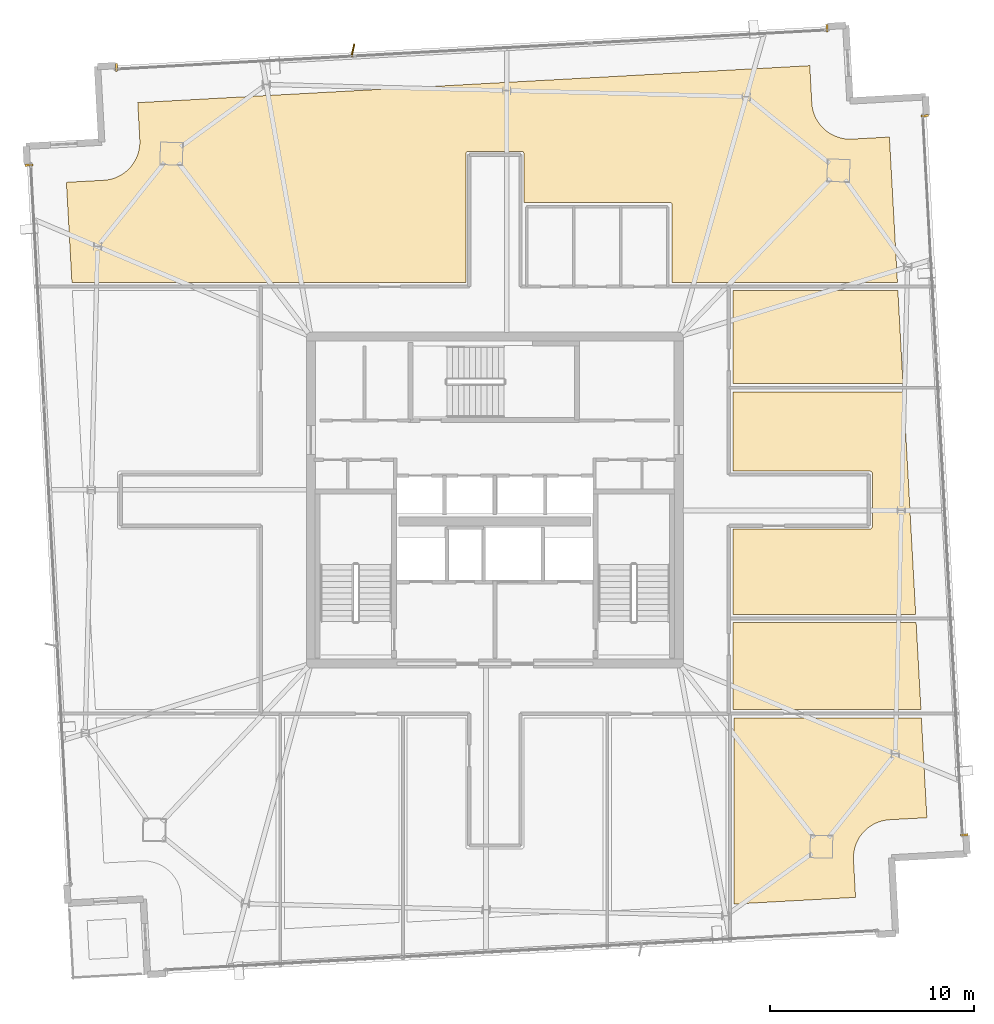
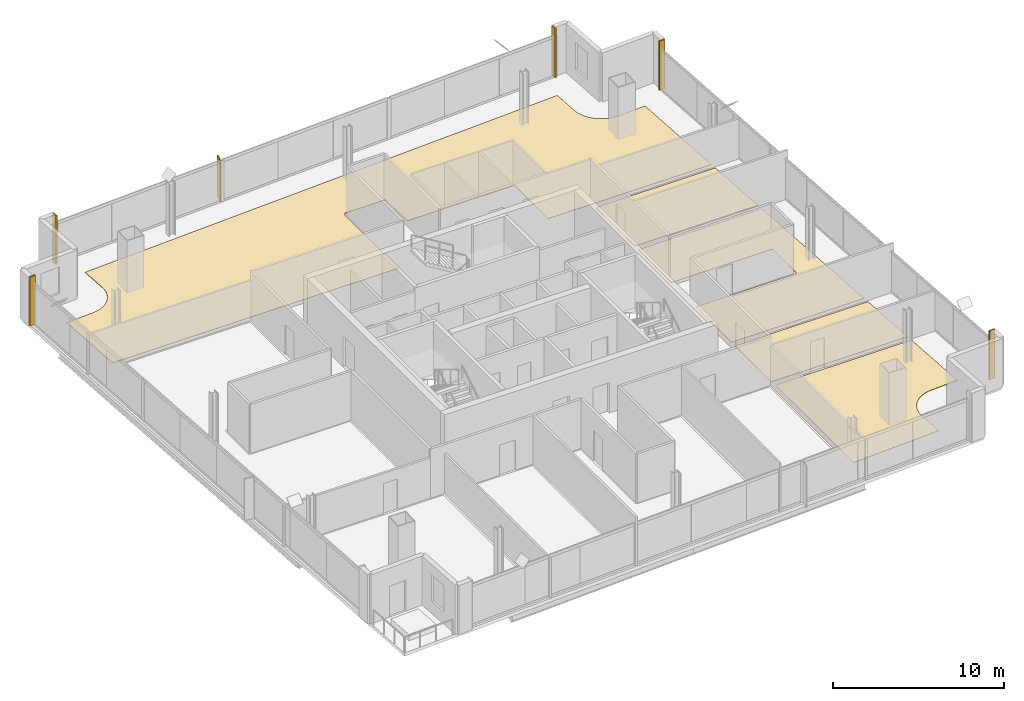
# One storey, part 23 of 23: 10 coverings, 1 shading device.
"""IFC4 building model written with IfcOpenShell, lengths in metres."""

import ifcopenshell
import ifcopenshell.guid

model = None  # the IFC model being written
_history = None  # IfcOwnerHistory: only IFC2X3 demands one
_inside = {}  # id of a spatial element -> (the spatial element, [elements in it])
_under = {}  # id of a project, library or spatial element -> (it, [spatial elements below it])
_declared = {}  # id of a project -> (the project, [libraries it declares])
_typed = {}  # id of a type object -> (the type object, [elements of that type])
_made_of = {}  # id of a material, layer set ... -> (it, [elements and type objects made of it])


def new_model(schema):
    """Start an empty IFC model of exactly this schema.

    Asked for "IFC4X3", IfcOpenShell would pick the latest addendum, in which some entities
    have other attributes; the version numbers below select the first issue.
    IFC2X3 requires an IfcOwnerHistory on every rooted entity: one is made here for all.
    """
    global model, _history
    if schema == "IFC4X3":
        model = ifcopenshell.file(schema_version=(4, 3, 0, 0))
    else:
        model = ifcopenshell.file(schema=schema)
    _inside.clear()
    _under.clear()
    _declared.clear()
    _typed.clear()
    _made_of.clear()
    _history = None
    if model.schema == "IFC2X3":
        org = make("IfcOrganization", Name="unknown")
        user = make(
            "IfcPersonAndOrganization",
            ThePerson=make("IfcPerson", FamilyName="unknown"),
            TheOrganization=org,
        )
        app = make(
            "IfcApplication",
            ApplicationDeveloper=org,
            Version="unknown",
            ApplicationFullName="unknown",
            ApplicationIdentifier="unknown",
        )
        _history = make(
            "IfcOwnerHistory",
            OwningUser=user,
            OwningApplication=app,
            ChangeAction="ADDED",
            CreationDate=0,
        )
    return model


def make(cls, **values):
    """One entity of the class cls with the attributes given. An attribute that is None is left unset."""
    return model.create_entity(
        cls, **{name: value for name, value in values.items() if value is not None}
    )


def rooted(cls, **values):
    """An entity with a GlobalId (a new one), such as an element, a storey or a relation."""
    return make(cls, GlobalId=ifcopenshell.guid.new(), OwnerHistory=_history, **values)


def si_unit(unit_type, name, prefix=None):
    """IfcSIUnit, for example si_unit("LENGTHUNIT", "METRE", prefix="MILLI")."""
    return make("IfcSIUnit", UnitType=unit_type, Prefix=prefix, Name=name)


def assignment(units):
    """IfcUnitAssignment: the units of a project."""
    return None if units is None else make("IfcUnitAssignment", Units=units)


def point(xyz):
    """IfcCartesianPoint."""
    return None if xyz is None else make("IfcCartesianPoint", Coordinates=xyz)


def direction(xyz):
    """IfcDirection."""
    return None if xyz is None else make("IfcDirection", DirectionRatios=xyz)


def frame(location, z_axis=None, x_axis=None):
    """IfcAxis2Placement3D, a coordinate frame: its origin and axes. An axis left out is left unset."""
    return make(
        "IfcAxis2Placement3D",
        Location=point(location),
        Axis=direction(z_axis),
        RefDirection=direction(x_axis),
    )


def frame_2d(location, x_axis=None):
    """IfcAxis2Placement2D, a coordinate frame in the plane: its origin and x axis."""
    return make(
        "IfcAxis2Placement2D", Location=point(location), RefDirection=direction(x_axis)
    )


def origin():
    """The frame at (0, 0, 0) with its axes left unset."""
    return frame((0.0, 0.0, 0.0))


def origin_2d():
    """The frame at (0, 0) in the plane with its x axis left unset."""
    return frame_2d((0.0, 0.0))


def place(relative_to, where):
    """IfcLocalPlacement: puts the frame where relative to a parent placement (None: the world)."""
    return make(
        "IfcLocalPlacement", PlacementRelTo=relative_to, RelativePlacement=where
    )


def context(
    kind, dimensions, precision=None, world=None, true_north=None, identifier=None
):
    """IfcGeometricRepresentationContext, for example the 3D "Model" context."""
    return make(
        "IfcGeometricRepresentationContext",
        ContextIdentifier=identifier,
        ContextType=kind,
        CoordinateSpaceDimension=dimensions,
        Precision=precision,
        WorldCoordinateSystem=world,
        TrueNorth=true_north,
    )


def subcontext(parent, identifier, kind, view, scale=None):
    """IfcGeometricRepresentationSubContext, for example "Body" below "Model"."""
    return make(
        "IfcGeometricRepresentationSubContext",
        ContextIdentifier=identifier,
        ContextType=kind,
        ParentContext=parent,
        TargetScale=scale,
        TargetView=view,
    )


def project(units=None, contexts=None):
    """IfcProject with its units and contexts."""
    return rooted(
        "IfcProject",
        Name="project",
        RepresentationContexts=contexts,
        UnitsInContext=assignment(units),
    )


def spatial(cls, under=None, at=None, **own):
    """A site, building, storey or space (cls), placed at a placement, below another one or the project."""
    s = rooted(cls, ObjectPlacement=at, **own)
    if under is not None:
        _under.setdefault(under.id(), (under, []))[1].append(s)
    return s


def polyline(points):
    """IfcPolyline through the points."""
    return make("IfcPolyline", Points=[point(p) for p in points])


def profile(cls, at=None, kind="AREA", **sizes):
    """A parametric profile (cls). Its sizes go by their IFC names, for example OverallWidth=200.0."""
    return make(cls, ProfileType=kind, Position=at, **sizes)


def rectangle(**sizes):
    """IfcRectangleProfileDef."""
    return profile("IfcRectangleProfileDef", **sizes)


def outline(outer, holes=None, kind="AREA"):
    """IfcArbitraryClosedProfileDef: a profile drawn as a closed curve; with holes, ...WithVoids."""
    if holes is None:
        return make("IfcArbitraryClosedProfileDef", ProfileType=kind, OuterCurve=outer)
    return make(
        "IfcArbitraryProfileDefWithVoids",
        ProfileType=kind,
        OuterCurve=outer,
        InnerCurves=holes,
    )


def extrude(swept, where, along, depth):
    """IfcExtrudedAreaSolid: the profile swept, set in the frame where, extruded along a direction by depth."""
    return make(
        "IfcExtrudedAreaSolid",
        SweptArea=swept,
        Position=where,
        ExtrudedDirection=direction(along),
        Depth=depth,
    )


def shape(context_of_items, identifier, shape_type, items):
    """IfcShapeRepresentation: the items that make up one representation, for example the "Body"."""
    return make(
        "IfcShapeRepresentation",
        ContextOfItems=context_of_items,
        RepresentationIdentifier=identifier,
        RepresentationType=shape_type,
        Items=items,
    )


def source(mapping_origin, context_of_items, identifier, shape_type, items):
    """IfcRepresentationMap: a shape defined once, which mapped items show again and again."""
    return make(
        "IfcRepresentationMap",
        MappingOrigin=mapping_origin,
        MappedRepresentation=shape(context_of_items, identifier, shape_type, items),
    )


def transform(
    local_origin,
    x_axis=None,
    y_axis=None,
    z_axis=None,
    scale=None,
    scale2=None,
    scale3=None,
    uniform=True,
):
    """IfcCartesianTransformationOperator3D, or its non-uniform kind. x_axis, y_axis, z_axis: its Axis1, 2, 3."""
    if uniform:
        return make(
            "IfcCartesianTransformationOperator3D",
            Axis1=direction(x_axis),
            Axis2=direction(y_axis),
            LocalOrigin=point(local_origin),
            Scale=scale,
            Axis3=direction(z_axis),
        )
    return make(
        "IfcCartesianTransformationOperator3DnonUniform",
        Axis1=direction(x_axis),
        Axis2=direction(y_axis),
        LocalOrigin=point(local_origin),
        Scale=scale,
        Axis3=direction(z_axis),
        Scale2=scale2,
        Scale3=scale3,
    )


def mapped(mapping_source, mapping_target):
    """IfcMappedItem: shows the shape of a source again, moved by a transform."""
    return make(
        "IfcMappedItem", MappingSource=mapping_source, MappingTarget=mapping_target
    )


def material(Name=None, Category=None):
    """IfcMaterial."""
    return make("IfcMaterial", Name=Name, Category=Category)


def layer(
    of_material, thickness, ventilated=None, Name=None, Category=None, Priority=None
):
    """IfcMaterialLayer: one layer of a wall or slab, of a material (None: an air gap)."""
    return make(
        "IfcMaterialLayer",
        Material=of_material,
        LayerThickness=thickness,
        IsVentilated=ventilated,
        Name=Name,
        Category=Category,
        Priority=Priority,
    )


def layer_set(layers, Name=None):
    """IfcMaterialLayerSet."""
    return make("IfcMaterialLayerSet", MaterialLayers=layers, LayerSetName=Name)


def made_of(thing, what):
    """Note that an element or type object is made of a material, layer set ...; save() writes the relation."""
    if what is not None:
        _made_of.setdefault(what.id(), (what, []))[1].append(thing)
    return thing


def type_object(cls, material=None, **own):
    """A type object (cls), such as IfcWallType, which elements share."""
    return made_of(rooted(cls, **own), material)


def element(
    cls,
    number,
    at=None,
    inside=None,
    cuts=None,
    type_object=None,
    material=None,
    context=None,
    identifier="Body",
    shape_type=None,
    held_by="IfcProductDefinitionShape",
    body=None,
    shapes=None,
    **own,
):
    """One element of the class cls, such as IfcWall. Its Tag is "e" and its number.

    at: its placement. inside: the storey or other place that contains it. cuts: it is an
    opening in that element (IfcRelVoidsElement). A single representation is given by context,
    identifier, shape_type and body (its items); several are given by shapes. held_by: the class
    of the entity that holds the representations. save() writes the other relations.
    """
    e = rooted(cls, Tag="e%d" % number, ObjectPlacement=at, **own)
    if body is not None:
        shapes = [shape(context, identifier, shape_type, body)]
    if shapes is not None:
        e.Representation = make(held_by, Representations=shapes)
    if inside is not None:
        _inside.setdefault(inside.id(), (inside, []))[1].append(e)
    if cuts is not None:
        rooted(
            "IfcRelVoidsElement", RelatingBuildingElement=cuts, RelatedOpeningElement=e
        )
    if type_object is not None:
        _typed.setdefault(type_object.id(), (type_object, []))[1].append(e)
    return made_of(e, material)


def aggregate(whole, parts):
    """IfcRelAggregates: a whole, such as a stair, and the parts it consists of."""
    return rooted("IfcRelAggregates", RelatingObject=whole, RelatedObjects=parts)


def save(model, path):
    """Write the relations noted so far, then the file.

    IfcRelAggregates (storeys below a building ...), IfcRelContainedInSpatialStructure (elements
    in a storey), IfcRelDefinesByType, IfcRelAssociatesMaterial and IfcRelDeclares: one each for
    every whole, place, type object, material and project.
    """
    for whole, parts in _under.values():
        aggregate(whole, parts)
    for where, things in _inside.values():
        rooted(
            "IfcRelContainedInSpatialStructure",
            RelatedElements=things,
            RelatingStructure=where,
        )
    for kind, things in _typed.values():
        rooted("IfcRelDefinesByType", RelatedObjects=things, RelatingType=kind)
    for what, things in _made_of.values():
        rooted("IfcRelAssociatesMaterial", RelatedObjects=things, RelatingMaterial=what)
    for by, libraries in _declared.values():
        rooted("IfcRelDeclares", RelatingContext=by, RelatedDefinitions=libraries)
    model.write(path)


model = new_model("IFC4")

# Units and contexts
model_context = context("Model", 3, precision=1e-05, world=origin(), true_north=direction((0.0, 1.0)))
body_context = subcontext(model_context, "Body", "Model", "MODEL_VIEW")
ifc_project = project(units=[si_unit("LENGTHUNIT", "METRE"), si_unit("AREAUNIT", "SQUARE_METRE"), si_unit("VOLUMEUNIT", "CUBIC_METRE"), si_unit("PLANEANGLEUNIT", "RADIAN"), si_unit("MASSUNIT", "GRAM", prefix="KILO")], contexts=[model_context])

# Site, building, storey
site_placement = place(None, origin())
site = spatial("IfcSite", under=ifc_project, at=site_placement, CompositionType="ELEMENT")
building_placement = place(site_placement, origin())
building = spatial("IfcBuilding", under=site, at=building_placement, Name="Haldenkirk Collegiate Tower", CompositionType="ELEMENT")
storey_placement = place(building_placement, frame((0.0, 0.0, 340.199951171875)))
storey = spatial("IfcBuildingStorey", under=building, at=storey_placement, Name="L86", CompositionType="ELEMENT", Elevation=340.199951171875)

# Coverings
ifc_material_1 = material(Name="Polished collegiate terrazzo", Category="concrete")
ifc_layer_1 = layer(ifc_material_1, 0.02490234375)
ifc_layer_set_1 = layer_set([ifc_layer_1], Name="Polished collegiate terrazzo")
covering_type_1 = type_object("IfcCoveringType", Name="COV-FLOOR-TERRAZZO", PredefinedType="FLOORING", material=ifc_layer_set_1)
covering_1_placement = place(storey_placement, origin())
element("IfcCovering", 1, at=covering_1_placement, inside=storey, type_object=covering_type_1, Name="L86 academic room finish 06", PredefinedType="FLOORING", context=body_context, shape_type="SweptSolid", body=[
    extrude(outline(polyline([(16.861083984375, 41.65185546875), (16.866943359375, 41.65234375), (17.03759765625, 41.67041015625), (17.04931640625, 41.672119140625), (17.217529296875, 41.70654296875), (17.22900390625, 41.70947265625), (17.392822265625, 41.76025390625), (17.404052734375, 41.764404296875), (17.562255859375, 41.8310546875), (17.572998046875, 41.836181640625), (17.723876953125, 41.91796875), (17.73388671875, 41.924072265625), (17.876220703125, 42.020263671875), (17.885498046875, 42.02734375), (18.017578125, 42.13720703125), (18.0263671875, 42.14501953125), (18.147216796875, 42.26708984375), (18.155029296875, 42.27587890625), (18.26318359375, 42.4091796875), (18.27001953125, 42.418701171875), (18.36474609375, 42.562255859375), (18.37060546875, 42.572265625), (18.45068359375, 42.72412109375), (18.455810546875, 42.735107421875), (18.5205078125, 42.89404296875), (18.5244140625, 42.905029296875), (18.5732421875, 43.069580078125), (18.575927734375, 43.081298828125), (18.6083984375, 43.249755859375), (18.610107421875, 43.261474609375), (18.626220703125, 43.432373046875), (18.626708984375, 43.444091796875), (18.62548828125, 43.615966796875), (18.62548828125, 43.621826171875), (18.52490234375, 45.44921875), (51.41015625, 47.2587890625), (51.510498046875, 45.431640625), (51.510986328125, 45.42578125), (51.529052734375, 45.2548828125), (51.53076171875, 45.243408203125), (51.565185546875, 45.0751953125), (51.568115234375, 45.063720703125), (51.618896484375, 44.899658203125), (51.623046875, 44.888671875), (51.689697265625, 44.730224609375), (51.69482421875, 44.7197265625), (51.776611328125, 44.568603515625), (51.78271484375, 44.55859375), (51.87890625, 44.41650390625), (51.885986328125, 44.406982421875), (51.995849609375, 44.27490234375), (52.003662109375, 44.266357421875), (52.125732421875, 44.1455078125), (52.134521484375, 44.1376953125), (52.26806640625, 44.029541015625), (52.277587890625, 44.0224609375), (52.4208984375, 43.927978515625), (52.430908203125, 43.922119140625), (52.5830078125, 43.841796875), (52.59375, 43.8369140625), (52.752685546875, 43.772216796875), (52.763916015625, 43.768310546875), (52.928466796875, 43.719482421875), (52.93994140625, 43.716552734375), (53.1083984375, 43.68408203125), (53.1201171875, 43.682373046875), (53.291015625, 43.66650390625), (53.302978515625, 43.666015625), (53.474609375, 43.6669921875), (53.480712890625, 43.667236328125), (55.307861328125, 43.767822265625), (55.699462890625, 36.64990234375), (44.669921875, 36.64990234375), (44.669921875, 40.449951171875), (44.66943359375, 40.4619140625), (44.667724609375, 40.473388671875), (44.664794921875, 40.48486328125), (44.660888671875, 40.495849609375), (44.65576171875, 40.506591796875), (44.64990234375, 40.5166015625), (44.642822265625, 40.526123046875), (44.635009765625, 40.534912109375), (44.626220703125, 40.542724609375), (44.61669921875, 40.5498046875), (44.606689453125, 40.555908203125), (44.595947265625, 40.560791015625), (44.584716796875, 40.564697265625), (44.573486328125, 40.567626953125), (44.561767578125, 40.5693359375), (44.550048828125, 40.570068359375), (37.449951171875, 40.570068359375), (37.438232421875, 40.5693359375), (37.426513671875, 40.567626953125), (37.419921875, 40.56591796875), (37.419921875, 42.949951171875), (37.41943359375, 42.9619140625), (37.417724609375, 42.973388671875), (37.414794921875, 42.98486328125), (37.410888671875, 42.995849609375), (37.40576171875, 43.006591796875), (37.39990234375, 43.0166015625), (37.392822265625, 43.026123046875), (37.385009765625, 43.034912109375), (37.376220703125, 43.042724609375), (37.36669921875, 43.0498046875), (37.356689453125, 43.055908203125), (37.345947265625, 43.060791015625), (37.334716796875, 43.064697265625), (37.323486328125, 43.067626953125), (37.311767578125, 43.0693359375), (37.300048828125, 43.070068359375), (34.699951171875, 43.070068359375), (34.688232421875, 43.0693359375), (34.676513671875, 43.067626953125), (34.665283203125, 43.064697265625), (34.654052734375, 43.060791015625), (34.643310546875, 43.055908203125), (34.63330078125, 43.0498046875), (34.623779296875, 43.042724609375), (34.614990234375, 43.034912109375), (34.607177734375, 43.026123046875), (34.60009765625, 43.0166015625), (34.59423828125, 43.006591796875), (34.589111328125, 42.995849609375), (34.585205078125, 42.98486328125), (34.582275390625, 42.973388671875), (34.58056640625, 42.9619140625), (34.580078125, 42.949951171875), (34.580078125, 36.64990234375), (15.303466796875, 36.64990234375), (15.03369140625, 41.551513671875), (16.861083984375, 41.65185546875)])), origin(), (0.0, 0.0, 1.0), 0.025146484375),
])
covering_2_placement = place(storey_placement, origin())
element("IfcCovering", 2, at=covering_2_placement, inside=storey, type_object=covering_type_1, Name="L86 academic room finish 08", PredefinedType="FLOORING", context=body_context, shape_type="SweptSolid", body=[
    extrude(outline(polyline([(56.849609375, 15.75), (47.64990234375, 15.75), (47.64990234375, 20.0), (56.61572265625, 20.0), (56.849609375, 15.75)])), origin(), (0.0, 0.0, 1.0), 0.025146484375),
])
covering_3_placement = place(storey_placement, origin())
element("IfcCovering", 3, at=covering_3_placement, inside=storey, type_object=covering_type_1, Name="L86 academic room finish 10", PredefinedType="FLOORING", context=body_context, shape_type="SweptSolid", body=[
    extrude(outline(polyline([(55.971923828125, 31.699951171875), (47.64990234375, 31.699951171875), (47.64990234375, 36.25), (55.721435546875, 36.25), (55.971923828125, 31.699951171875)])), origin(), (0.0, 0.0, 1.0), 0.025146484375),
])
ifc_material_2 = material(Name="Engineered collegiate oak acoustic flooring", Category="wood")
ifc_layer_2 = layer(ifc_material_2, 0.02197265625)
ifc_layer_set_2 = layer_set([ifc_layer_2], Name="Engineered collegiate oak acoustic flooring")
covering_type_2 = type_object("IfcCoveringType", Name="COV-FLOOR-TIMBER", PredefinedType="FLOORING", material=ifc_layer_set_2)
covering_4_placement = place(storey_placement, origin())
element("IfcCovering", 4, at=covering_4_placement, inside=storey, type_object=covering_type_2, Name="L86 academic room finish 05", PredefinedType="FLOORING", context=body_context, shape_type="SweptSolid", body=[
    extrude(outline(polyline([(54.6123046875, 10.1787109375), (54.601806640625, 10.173583984375), (54.45068359375, 10.091796875), (54.44091796875, 10.085693359375), (54.298583984375, 9.989501953125), (54.2890625, 9.982421875), (54.156982421875, 9.87255859375), (54.1484375, 9.864501953125), (54.027587890625, 9.742431640625), (54.019775390625, 9.733642578125), (53.91162109375, 9.600341796875), (53.904541015625, 9.5908203125), (53.81005859375, 9.447509765625), (53.80419921875, 9.437255859375), (53.72412109375, 9.285400390625), (53.718994140625, 9.274658203125), (53.654296875, 9.115478515625), (53.650390625, 9.1044921875), (53.6015625, 8.93994140625), (53.5986328125, 8.928466796875), (53.566162109375, 8.759765625), (53.564453125, 8.748291015625), (53.548583984375, 8.5771484375), (53.548095703125, 8.5654296875), (53.549072265625, 8.3935546875), (53.54931640625, 8.3876953125), (53.64990234375, 6.560546875), (47.699951171875, 6.233154296875), (47.699951171875, 15.35009765625), (56.87158203125, 15.35009765625), (57.14111328125, 10.458251953125), (55.313720703125, 10.357666015625), (55.307861328125, 10.357177734375), (55.136962890625, 10.33935546875), (55.12548828125, 10.337646484375), (54.957275390625, 10.302978515625), (54.94580078125, 10.300048828125), (54.78173828125, 10.249267578125), (54.770751953125, 10.245361328125), (54.6123046875, 10.1787109375)])), origin(), (0.0, 0.0, 1.0), 0.02197265625),
])
covering_5_placement = place(storey_placement, origin())
element("IfcCovering", 5, at=covering_5_placement, inside=storey, type_object=covering_type_2, Name="L86 academic room finish 09", PredefinedType="FLOORING", context=body_context, shape_type="SweptSolid", body=[
    extrude(outline(polyline([(54.35009765625, 24.580078125), (54.36181640625, 24.58056640625), (54.373291015625, 24.582275390625), (54.384765625, 24.585205078125), (54.39599609375, 24.589111328125), (54.406494140625, 24.59423828125), (54.416748046875, 24.60009765625), (54.426025390625, 24.607177734375), (54.434814453125, 24.614990234375), (54.44287109375, 24.623779296875), (54.44970703125, 24.63330078125), (54.455810546875, 24.643310546875), (54.4609375, 24.654052734375), (54.46484375, 24.665283203125), (54.4677734375, 24.676513671875), (54.469482421875, 24.688232421875), (54.469970703125, 24.699951171875), (54.469970703125, 27.300048828125), (54.469482421875, 27.311767578125), (54.4677734375, 27.323486328125), (54.46484375, 27.334716796875), (54.4609375, 27.345947265625), (54.455810546875, 27.356689453125), (54.44970703125, 27.36669921875), (54.44287109375, 27.376220703125), (54.434814453125, 27.385009765625), (54.426025390625, 27.392822265625), (54.416748046875, 27.39990234375), (54.406494140625, 27.40576171875), (54.39599609375, 27.410888671875), (54.384765625, 27.414794921875), (54.373291015625, 27.417724609375), (54.36181640625, 27.41943359375), (54.35009765625, 27.419921875), (47.64990234375, 27.419921875), (47.64990234375, 31.300048828125), (55.993896484375, 31.300048828125), (56.59375, 20.39990234375), (47.64990234375, 20.39990234375), (47.64990234375, 24.580078125), (54.35009765625, 24.580078125)])), origin(), (0.0, 0.0, 1.0), 0.02197265625),
])
ifc_material_3 = material(Name="Anodised architectural bronze aluminium", Category="aluminium")
ifc_layer_3 = layer(ifc_material_3, 0.06005859375)
ifc_layer_set_3 = layer_set([ifc_layer_3], Name="Anodised architectural bronze aluminium")
covering_type_3 = type_object("IfcCoveringType", Name="COV-CLAD-BRONZE-60", PredefinedType="CLADDING", material=ifc_layer_set_3)
shared_shape_1 = source(origin(), body_context, "Body", "SweptSolid", [
    extrude(rectangle(XDim=0.10009765625, YDim=0.3798828125, at=origin_2d()), origin(), (0.0, 0.0, 1.0), 3.489990234375),
])
for number, where, z_axis, x_axis, name in (
    (6, (57.033447265625, 44.80419921875, 0.0), (0.0, 0.0, 1.0), (0.054950179912, -0.998489097451, 0.0), "L86 recessed curtain-wall bronze jamb closure SJL"),
    (7, (58.969970703125, 9.617431640625, 0.0), (0.0, 0.0, 1.0), (0.054950179912, -0.998489097451, 0.0), "L86 recessed curtain-wall bronze jamb closure SJR"),
    (8, (17.48828125, 47.1748046875, 0.0), (0.0, 0.0, 1.0), (0.998489097451, 0.054950179912, 0.0), "L86 recessed curtain-wall bronze jamb closure EJL"),
    (9, (52.2509765625, 49.087890625, 0.0), (0.0, 0.0, 1.0), (0.998489097451, 0.054950179912, 0.0), "L86 recessed curtain-wall bronze jamb closure EJR"),
    (10, (13.204833984375, 42.39208984375, 0.0), (0.0, 0.0, 1.0), (-0.054950179912, 0.998489097451, 0.0), "L86 recessed curtain-wall bronze jamb closure NJR"),
):
    element("IfcCovering", number, at=place(storey_placement, frame(where, z_axis=z_axis, x_axis=x_axis)), inside=storey, type_object=covering_type_3, Name=name, PredefinedType="CLADDING", context=body_context, shape_type="MappedRepresentation", body=[
        mapped(shared_shape_1, transform((0.0, 0.0, 0.0), x_axis=(1.0, 0.0, 0.0), y_axis=(0.0, 1.0, 0.0), z_axis=(0.0, 0.0, 1.0), scale=1.0)),
    ])

# Shading device
ifc_layer_4 = layer(ifc_material_3, 0.06494140625)
ifc_layer_set_4 = layer_set([ifc_layer_4], Name="Anodised architectural bronze aluminium")
shading_device_type = type_object("IfcShadingDeviceType", Name="SHD-FIN-BRONZE-620", PredefinedType="USERDEFINED", material=ifc_layer_set_4)
shared_shape_2 = source(origin(), body_context, "Body", "SweptSolid", [
    extrude(rectangle(XDim=0.6201171875, YDim=0.06494140625, at=origin_2d()), origin(), (0.0, 0.0, 1.0), 2.947998046875),
])
shading_device_placement = place(storey_placement, frame((29.0546875, 48.0166015625, 0.0), z_axis=(0.0, 0.0, 1.0), x_axis=(0.222399391499, 0.974955645484, 0.0)))
element("IfcShadingDevice", 11, at=shading_device_placement, inside=storey, type_object=shading_device_type, Name="L86 folded bronze solar fin 1", ObjectType="FIN", PredefinedType="USERDEFINED", context=body_context, shape_type="MappedRepresentation", body=[
    mapped(shared_shape_2, transform((0.0, 0.0, 0.0), x_axis=(1.0, 0.0, 0.0), y_axis=(0.0, 1.0, 0.0), z_axis=(0.0, 0.0, 1.0), scale=1.0)),
])

save(model, "model.ifc")
